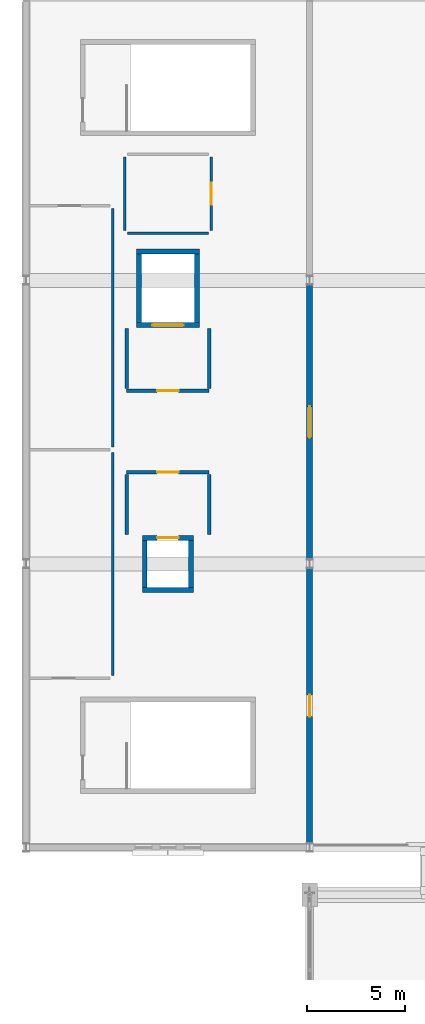
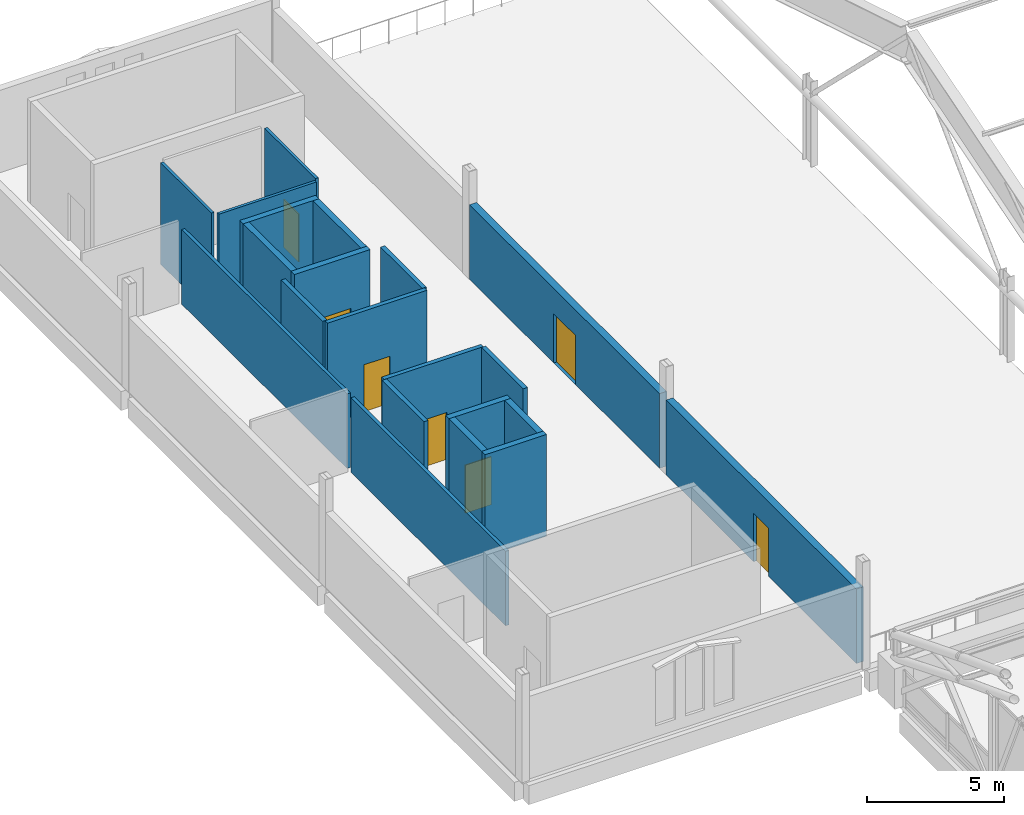
# One storey, part 95 of 116: 21 walls, 7 doors, 7 openings.
"""IFC4 building model written with IfcOpenShell, lengths in metres."""

import ifcopenshell
import ifcopenshell.guid

model = None  # the IFC model being written
_history = None  # IfcOwnerHistory: only IFC2X3 demands one
_inside = {}  # id of a spatial element -> (the spatial element, [elements in it])
_under = {}  # id of a project, library or spatial element -> (it, [spatial elements below it])
_declared = {}  # id of a project -> (the project, [libraries it declares])
_typed = {}  # id of a type object -> (the type object, [elements of that type])
_made_of = {}  # id of a material, layer set ... -> (it, [elements and type objects made of it])


def new_model(schema):
    """Start an empty IFC model of exactly this schema.

    Asked for "IFC4X3", IfcOpenShell would pick the latest addendum, in which some entities
    have other attributes; the version numbers below select the first issue.
    IFC2X3 requires an IfcOwnerHistory on every rooted entity: one is made here for all.
    """
    global model, _history
    if schema == "IFC4X3":
        model = ifcopenshell.file(schema_version=(4, 3, 0, 0))
    else:
        model = ifcopenshell.file(schema=schema)
    _inside.clear()
    _under.clear()
    _declared.clear()
    _typed.clear()
    _made_of.clear()
    _history = None
    if model.schema == "IFC2X3":
        org = make("IfcOrganization", Name="unknown")
        user = make(
            "IfcPersonAndOrganization",
            ThePerson=make("IfcPerson", FamilyName="unknown"),
            TheOrganization=org,
        )
        app = make(
            "IfcApplication",
            ApplicationDeveloper=org,
            Version="unknown",
            ApplicationFullName="unknown",
            ApplicationIdentifier="unknown",
        )
        _history = make(
            "IfcOwnerHistory",
            OwningUser=user,
            OwningApplication=app,
            ChangeAction="ADDED",
            CreationDate=0,
        )
    return model


def make(cls, **values):
    """One entity of the class cls with the attributes given. An attribute that is None is left unset."""
    return model.create_entity(
        cls, **{name: value for name, value in values.items() if value is not None}
    )


def rooted(cls, **values):
    """An entity with a GlobalId (a new one), such as an element, a storey or a relation."""
    return make(cls, GlobalId=ifcopenshell.guid.new(), OwnerHistory=_history, **values)


def si_unit(unit_type, name, prefix=None):
    """IfcSIUnit, for example si_unit("LENGTHUNIT", "METRE", prefix="MILLI")."""
    return make("IfcSIUnit", UnitType=unit_type, Prefix=prefix, Name=name)


def assignment(units):
    """IfcUnitAssignment: the units of a project."""
    return None if units is None else make("IfcUnitAssignment", Units=units)


def point(xyz):
    """IfcCartesianPoint."""
    return None if xyz is None else make("IfcCartesianPoint", Coordinates=xyz)


def direction(xyz):
    """IfcDirection."""
    return None if xyz is None else make("IfcDirection", DirectionRatios=xyz)


def frame(location, z_axis=None, x_axis=None):
    """IfcAxis2Placement3D, a coordinate frame: its origin and axes. An axis left out is left unset."""
    return make(
        "IfcAxis2Placement3D",
        Location=point(location),
        Axis=direction(z_axis),
        RefDirection=direction(x_axis),
    )


def frame_2d(location, x_axis=None):
    """IfcAxis2Placement2D, a coordinate frame in the plane: its origin and x axis."""
    return make(
        "IfcAxis2Placement2D", Location=point(location), RefDirection=direction(x_axis)
    )


def origin():
    """The frame at (0, 0, 0) with its axes left unset."""
    return frame((0.0, 0.0, 0.0))


def place(relative_to, where):
    """IfcLocalPlacement: puts the frame where relative to a parent placement (None: the world)."""
    return make(
        "IfcLocalPlacement", PlacementRelTo=relative_to, RelativePlacement=where
    )


def context(
    kind, dimensions, precision=None, world=None, true_north=None, identifier=None
):
    """IfcGeometricRepresentationContext, for example the 3D "Model" context."""
    return make(
        "IfcGeometricRepresentationContext",
        ContextIdentifier=identifier,
        ContextType=kind,
        CoordinateSpaceDimension=dimensions,
        Precision=precision,
        WorldCoordinateSystem=world,
        TrueNorth=true_north,
    )


def subcontext(parent, identifier, kind, view, scale=None):
    """IfcGeometricRepresentationSubContext, for example "Body" below "Model"."""
    return make(
        "IfcGeometricRepresentationSubContext",
        ContextIdentifier=identifier,
        ContextType=kind,
        ParentContext=parent,
        TargetScale=scale,
        TargetView=view,
    )


def project(units=None, contexts=None):
    """IfcProject with its units and contexts."""
    return rooted(
        "IfcProject",
        Name="project",
        RepresentationContexts=contexts,
        UnitsInContext=assignment(units),
    )


def spatial(cls, under=None, at=None, **own):
    """A site, building, storey or space (cls), placed at a placement, below another one or the project."""
    s = rooted(cls, ObjectPlacement=at, **own)
    if under is not None:
        _under.setdefault(under.id(), (under, []))[1].append(s)
    return s


def profile(cls, at=None, kind="AREA", **sizes):
    """A parametric profile (cls). Its sizes go by their IFC names, for example OverallWidth=200.0."""
    return make(cls, ProfileType=kind, Position=at, **sizes)


def rectangle(**sizes):
    """IfcRectangleProfileDef."""
    return profile("IfcRectangleProfileDef", **sizes)


def extrude(swept, where, along, depth):
    """IfcExtrudedAreaSolid: the profile swept, set in the frame where, extruded along a direction by depth."""
    return make(
        "IfcExtrudedAreaSolid",
        SweptArea=swept,
        Position=where,
        ExtrudedDirection=direction(along),
        Depth=depth,
    )


def shape(context_of_items, identifier, shape_type, items):
    """IfcShapeRepresentation: the items that make up one representation, for example the "Body"."""
    return make(
        "IfcShapeRepresentation",
        ContextOfItems=context_of_items,
        RepresentationIdentifier=identifier,
        RepresentationType=shape_type,
        Items=items,
    )


def material(Name=None, Category=None):
    """IfcMaterial."""
    return make("IfcMaterial", Name=Name, Category=Category)


def layer(
    of_material, thickness, ventilated=None, Name=None, Category=None, Priority=None
):
    """IfcMaterialLayer: one layer of a wall or slab, of a material (None: an air gap)."""
    return make(
        "IfcMaterialLayer",
        Material=of_material,
        LayerThickness=thickness,
        IsVentilated=ventilated,
        Name=Name,
        Category=Category,
        Priority=Priority,
    )


def layer_set(layers, Name=None):
    """IfcMaterialLayerSet."""
    return make("IfcMaterialLayerSet", MaterialLayers=layers, LayerSetName=Name)


def made_of(thing, what):
    """Note that an element or type object is made of a material, layer set ...; save() writes the relation."""
    if what is not None:
        _made_of.setdefault(what.id(), (what, []))[1].append(thing)
    return thing


def type_object(cls, material=None, **own):
    """A type object (cls), such as IfcWallType, which elements share."""
    return made_of(rooted(cls, **own), material)


def element(
    cls,
    number,
    at=None,
    inside=None,
    cuts=None,
    type_object=None,
    material=None,
    context=None,
    identifier="Body",
    shape_type=None,
    held_by="IfcProductDefinitionShape",
    body=None,
    shapes=None,
    **own,
):
    """One element of the class cls, such as IfcWall. Its Tag is "e" and its number.

    at: its placement. inside: the storey or other place that contains it. cuts: it is an
    opening in that element (IfcRelVoidsElement). A single representation is given by context,
    identifier, shape_type and body (its items); several are given by shapes. held_by: the class
    of the entity that holds the representations. save() writes the other relations.
    """
    e = rooted(cls, Tag="e%d" % number, ObjectPlacement=at, **own)
    if body is not None:
        shapes = [shape(context, identifier, shape_type, body)]
    if shapes is not None:
        e.Representation = make(held_by, Representations=shapes)
    if inside is not None:
        _inside.setdefault(inside.id(), (inside, []))[1].append(e)
    if cuts is not None:
        rooted(
            "IfcRelVoidsElement", RelatingBuildingElement=cuts, RelatedOpeningElement=e
        )
    if type_object is not None:
        _typed.setdefault(type_object.id(), (type_object, []))[1].append(e)
    return made_of(e, material)


def fill(opening, filler):
    """IfcRelFillsElement: the door or window that sits in an opening."""
    return rooted(
        "IfcRelFillsElement",
        RelatingOpeningElement=opening,
        RelatedBuildingElement=filler,
    )


def aggregate(whole, parts):
    """IfcRelAggregates: a whole, such as a stair, and the parts it consists of."""
    return rooted("IfcRelAggregates", RelatingObject=whole, RelatedObjects=parts)


def save(model, path):
    """Write the relations noted so far, then the file.

    IfcRelAggregates (storeys below a building ...), IfcRelContainedInSpatialStructure (elements
    in a storey), IfcRelDefinesByType, IfcRelAssociatesMaterial and IfcRelDeclares: one each for
    every whole, place, type object, material and project.
    """
    for whole, parts in _under.values():
        aggregate(whole, parts)
    for where, things in _inside.values():
        rooted(
            "IfcRelContainedInSpatialStructure",
            RelatedElements=things,
            RelatingStructure=where,
        )
    for kind, things in _typed.values():
        rooted("IfcRelDefinesByType", RelatedObjects=things, RelatingType=kind)
    for what, things in _made_of.values():
        rooted("IfcRelAssociatesMaterial", RelatedObjects=things, RelatingMaterial=what)
    for by, libraries in _declared.values():
        rooted("IfcRelDeclares", RelatingContext=by, RelatedDefinitions=libraries)
    model.write(path)


model = new_model("IFC4")

# Units and contexts
model_context = context("Model", 3, precision=1e-05, world=origin(), true_north=direction((0.0, 1.0)))
body_context = subcontext(model_context, "Body", "Model", "MODEL_VIEW")
ifc_project = project(units=[si_unit("LENGTHUNIT", "METRE"), si_unit("AREAUNIT", "SQUARE_METRE"), si_unit("VOLUMEUNIT", "CUBIC_METRE"), si_unit("PLANEANGLEUNIT", "RADIAN"), si_unit("MASSUNIT", "GRAM", prefix="KILO")], contexts=[model_context])

# Site, building, storey
site_placement = place(None, origin())
site = spatial("IfcSite", under=ifc_project, at=site_placement, CompositionType="ELEMENT")
building_placement = place(site_placement, origin())
building = spatial("IfcBuilding", under=site, at=building_placement, Name="Cendralis Lancet Convention Centre", CompositionType="ELEMENT")
storey_placement = place(building_placement, frame((0.0, 0.0, 15.0)))
storey = spatial("IfcBuildingStorey", under=building, at=storey_placement, Name="L03", CompositionType="ELEMENT", Elevation=15.0)

# Wall, opening, door
ifc_material_1 = material(Name="Buff sandstone ashlar and Concrete G40 (C40/50)", Category="masonry")
ifc_layer_1 = layer(ifc_material_1, 0.300048828125, Name="Buff sandstone ashlar and Concrete G40 (C40/50)")
ifc_layer_set_1 = layer_set([ifc_layer_1], Name="Buff sandstone ashlar and Concrete G40 (C40/50)")
wall_type_1 = type_object("IfcWallType", Name="ARC-EW-W300", PredefinedType="STANDARD", material=ifc_layer_set_1)
wall_1_placement = place(storey_placement, frame((139.199951171875, 107.76708984375, 0.0), z_axis=(0.0, 0.0, 1.0), x_axis=(0.0, -1.0, 0.0)))
wall_1 = element("IfcWall", 1, at=wall_1_placement, inside=storey, type_object=wall_type_1, Name="L03 V3 Exterior Wall EW-07 #0172", PredefinedType="STANDARD", context=body_context, shape_type="SweptSolid", body=[
    extrude(rectangle(XDim=13.93408203125, YDim=0.300048828125, at=frame_2d((6.967041015625, 0.0))), origin(), (0.0, 0.0, 1.0), 3.3349609375),
])
opening_1_placement = place(wall_1_placement, frame((6.4169921875, 0.0, 0.0)))
opening_1 = element("IfcOpeningElement", 2, at=opening_1_placement, cuts=wall_1, Name="Opening TR-D2", PredefinedType="OPENING", context=body_context, shape_type="SweptSolid", body=[
    extrude(rectangle(XDim=1.10009765625, YDim=2.14990234375, at=frame_2d((0.550048828125, 1.074951171875))), frame((0.0, 0.159912109375, 0.0), z_axis=(0.0, -1.0, 0.0), x_axis=(1.0, 0.0, 0.0)), (0.0, 0.0, 1.0), 0.320068359375),
])
ifc_material_2 = material(Name="Anodised bronze architectural aluminium", Category="aluminium")
door_type_1 = type_object("IfcDoorType", Name="ARC-DR-TR11", OperationType="NOTDEFINED", PredefinedType="DOOR", material=ifc_material_2)
door_1_placement = place(opening_1_placement, origin())
door_1 = element("IfcDoor", 3, at=door_1_placement, inside=storey, type_object=door_type_1, Name="L03-D001 Terrace Access Door #043", OperationType="SINGLE_SWING_RIGHT", OverallHeight=2.14990234375, OverallWidth=1.10009765625, PredefinedType="DOOR", context=body_context, shape_type="SweptSolid", body=[
    extrude(rectangle(XDim=1.10009765625, YDim=2.14990234375, at=frame_2d((0.550048828125, 1.074951171875))), frame((0.0, 0.02490234375, 0.0), z_axis=(0.0, -1.0, 0.0), x_axis=(1.0, 0.0, 0.0)), (0.0, 0.0, 1.0), 0.050048828125),
])
fill(opening_1, door_1)

wall_2_placement = place(storey_placement, frame((139.199951171875, 122.1669921875, 0.0), z_axis=(0.0, 0.0, 1.0), x_axis=(0.0, -1.0, 0.0)))
wall_2 = element("IfcWall", 4, at=wall_2_placement, inside=storey, type_object=wall_type_1, Name="L03 V3 Exterior Wall EW-07 #0174", PredefinedType="STANDARD", context=body_context, shape_type="SweptSolid", body=[
    extrude(rectangle(XDim=13.93408203125, YDim=0.300048828125, at=frame_2d((6.967041015625, 0.0))), origin(), (0.0, 0.0, 1.0), 3.3349609375),
])
opening_2_placement = place(wall_2_placement, frame((6.1669921875, 0.0, 0.0)))
opening_2 = element("IfcOpeningElement", 5, at=opening_2_placement, cuts=wall_2, Name="Opening TR-D1", PredefinedType="OPENING", context=body_context, shape_type="SweptSolid", body=[
    extrude(rectangle(XDim=1.60009765625, YDim=2.199951171875, at=frame_2d((0.800048828125, 1.10009765625))), frame((0.0, 0.159912109375, 0.0), z_axis=(0.0, -1.0, 0.0), x_axis=(1.0, 0.0, 0.0)), (0.0, 0.0, 1.0), 0.320068359375),
])
door_type_2 = type_object("IfcDoorType", Name="ARC-DR-TR16", OperationType="NOTDEFINED", PredefinedType="DOOR", material=ifc_material_2)
door_2_placement = place(opening_2_placement, origin())
door_2 = element("IfcDoor", 6, at=door_2_placement, inside=storey, type_object=door_type_2, Name="L03-D002 Terrace Access Door #044", OperationType="DOUBLE_DOOR_SINGLE_SWING", OverallHeight=2.199951171875, OverallWidth=1.60009765625, PredefinedType="DOOR", context=body_context, shape_type="SweptSolid", body=[
    extrude(rectangle(XDim=1.60009765625, YDim=2.199951171875, at=frame_2d((0.800048828125, 1.10009765625))), frame((0.0, 0.02490234375, 0.0), z_axis=(0.0, -1.0, 0.0), x_axis=(1.0, 0.0, 0.0)), (0.0, 0.0, 1.0), 0.050048828125),
])
fill(opening_2, door_2)

# Walls
ifc_material_3 = material(Name="Acoustic fire-rated gypsum board on steel studs", Category="steel")
ifc_layer_2 = layer(ifc_material_3, 0.1201171875, Name="Acoustic fire-rated gypsum board on steel studs")
ifc_layer_set_2 = layer_set([ifc_layer_2], Name="Acoustic fire-rated gypsum board on steel studs")
wall_type_2 = type_object("IfcWallType", Name="ARC-IW-P120", PredefinedType="PARTITIONING", material=ifc_layer_set_2)
wall_3_placement = place(storey_placement, frame((129.93994140625, 124.800048828125, 0.0), z_axis=(0.0, 0.0, 1.0), x_axis=(1.0, 0.0, 0.0)))
element("IfcWall", 7, at=wall_3_placement, inside=storey, type_object=wall_type_2, Name="L03 Interior Partition IW-05 #0198", PredefinedType="PARTITIONING", context=body_context, shape_type="SweptSolid", body=[
    extrude(rectangle(XDim=4.1201171875, YDim=0.1201171875, at=frame_2d((2.06005859375, 0.0))), origin(), (0.0, 0.0, 1.0), 4.534912109375),
])
wall_4_placement = place(storey_placement, frame((129.800048828125, 124.93994140625, 0.0), z_axis=(0.0, 0.0, 1.0), x_axis=(0.0, 1.0, 0.0)))
element("IfcWall", 8, at=wall_4_placement, inside=storey, type_object=wall_type_2, Name="L03 Interior Partition IW-05 #0200", PredefinedType="PARTITIONING", context=body_context, shape_type="SweptSolid", body=[
    extrude(rectangle(XDim=3.719970703125, YDim=0.1201171875, at=frame_2d((1.85986328125, 0.0))), origin(), (0.0, 0.0, 1.0), 4.534912109375),
])

# Wall, opening, door
wall_5_placement = place(storey_placement, frame((134.199951171875, 124.93994140625, 0.0), z_axis=(0.0, 0.0, 1.0), x_axis=(0.0, 1.0, 0.0)))
wall_5 = element("IfcWall", 9, at=wall_5_placement, inside=storey, type_object=wall_type_2, Name="L03 Interior Partition IW-05 #0201", PredefinedType="PARTITIONING", context=body_context, shape_type="SweptSolid", body=[
    extrude(rectangle(XDim=3.719970703125, YDim=0.1201171875, at=frame_2d((1.85986328125, 0.0))), origin(), (0.0, 0.0, 1.0), 4.534912109375),
])
opening_3_placement = place(wall_5_placement, frame((1.31005859375, 0.0, 0.0)))
opening_3 = element("IfcOpeningElement", 10, at=opening_3_placement, cuts=wall_5, Name="Opening FD-11", PredefinedType="OPENING", context=body_context, shape_type="SweptSolid", body=[
    extrude(rectangle(XDim=1.10009765625, YDim=2.14990234375, at=frame_2d((0.550048828125, 1.074951171875))), frame((0.0, 0.070068359375, 0.0), z_axis=(0.0, -1.0, 0.0), x_axis=(1.0, 0.0, 0.0)), (0.0, 0.0, 1.0), 0.14013671875),
])
ifc_material_4 = material(Name="Steel S355", Category="steel")
door_type_3 = type_object("IfcDoorType", Name="ARC-DR-FF11", OperationType="NOTDEFINED", PredefinedType="DOOR", material=ifc_material_4)
door_3_placement = place(opening_3_placement, origin())
door_3 = element("IfcDoor", 11, at=door_3_placement, inside=storey, type_object=door_type_3, Name="L03-D012 L03 Interior Door FD-11 #0066", OperationType="SINGLE_SWING_LEFT", OverallHeight=2.14990234375, OverallWidth=1.10009765625, PredefinedType="DOOR", context=body_context, shape_type="SweptSolid", body=[
    extrude(rectangle(XDim=1.10009765625, YDim=2.14990234375, at=frame_2d((0.550048828125, 1.074951171875))), frame((0.0, 0.02490234375, 0.0), z_axis=(0.0, -1.0, 0.0), x_axis=(1.0, 0.0, 0.0)), (0.0, 0.0, 1.0), 0.050048828125),
])
fill(opening_3, door_3)

# Walls
ifc_layer_3 = layer(ifc_material_3, 0.139892578125, Name="Acoustic fire-rated gypsum board on steel studs")
ifc_layer_set_3 = layer_set([ifc_layer_3], Name="Acoustic fire-rated gypsum board on steel studs")
wall_type_3 = type_object("IfcWallType", Name="ARC-IW-P140", PredefinedType="PARTITIONING", material=ifc_layer_set_3)
wall_6_placement = place(storey_placement, frame((129.199951171875, 102.340087890625, 0.0), z_axis=(0.0, 0.0, 1.0), x_axis=(0.0, 1.0, 0.0)))
element("IfcWall", 12, at=wall_6_placement, inside=storey, type_object=wall_type_3, Name="L03 Interior Partition IW-04 #0195", PredefinedType="PARTITIONING", context=body_context, shape_type="SweptSolid", body=[
    extrude(rectangle(XDim=11.31982421875, YDim=0.139892578125, at=frame_2d((5.659912109375, 0.0))), origin(), (0.0, 0.0, 1.0), 3.3349609375),
])
wall_7_placement = place(storey_placement, frame((129.199951171875, 113.93994140625, 0.0), z_axis=(0.0, 0.0, 1.0), x_axis=(0.0, 1.0, 0.0)))
element("IfcWall", 13, at=wall_7_placement, inside=storey, type_object=wall_type_3, Name="L03 Interior Partition IW-04 #0197", PredefinedType="PARTITIONING", context=body_context, shape_type="SweptSolid", body=[
    extrude(rectangle(XDim=12.1201171875, YDim=0.139892578125, at=frame_2d((6.06005859375, 0.0))), origin(), (0.0, 0.0, 1.0), 3.3349609375),
])

# Wall, opening, door
ifc_layer_4 = layer(ifc_material_3, 0.179931640625, Name="Acoustic fire-rated gypsum board on steel studs")
ifc_layer_set_4 = layer_set([ifc_layer_4], Name="Acoustic fire-rated gypsum board on steel studs")
wall_type_4 = type_object("IfcWallType", Name="ARC-IW-P180", PredefinedType="PARTITIONING", material=ifc_layer_set_4)
wall_8_placement = place(storey_placement, frame((129.89990234375, 112.64990234375, 0.0), z_axis=(0.0, 0.0, 1.0), x_axis=(1.0, 0.0, 0.0)))
wall_8 = element("IfcWall", 14, at=wall_8_placement, inside=storey, type_object=wall_type_4, Name="L03 Lift Lobby LP-07 Front Wall", PredefinedType="PARTITIONING", context=body_context, shape_type="SweptSolid", body=[
    extrude(rectangle(XDim=4.2001953125, YDim=0.179931640625, at=frame_2d((2.10009765625, 0.0))), origin(), (0.0, 0.0, 1.0), 4.550048828125),
])
opening_4_placement = place(wall_8_placement, frame((1.550048828125, 0.0, 0.0)))
opening_4 = element("IfcOpeningElement", 15, at=opening_4_placement, cuts=wall_8, Name="Opening FD-11", PredefinedType="OPENING", context=body_context, shape_type="SweptSolid", body=[
    extrude(rectangle(XDim=1.10009765625, YDim=2.14990234375, at=frame_2d((0.550048828125, 1.074951171875))), frame((0.0, 0.099853515625, 0.0), z_axis=(0.0, -1.0, 0.0), x_axis=(1.0, 0.0, 0.0)), (0.0, 0.0, 1.0), 0.199951171875),
])
door_4_placement = place(opening_4_placement, origin())
door_4 = element("IfcDoor", 16, at=door_4_placement, inside=storey, type_object=door_type_3, Name="L03-D049 L03 Lift Lobby LP-07 Fire Door", OperationType="SINGLE_SWING_LEFT", OverallHeight=2.14990234375, OverallWidth=1.10009765625, PredefinedType="DOOR", context=body_context, shape_type="SweptSolid", body=[
    extrude(rectangle(XDim=1.10009765625, YDim=2.14990234375, at=frame_2d((0.550048828125, 1.074951171875))), frame((0.0, 0.02490234375, 0.0), z_axis=(0.0, -1.0, 0.0), x_axis=(1.0, 0.0, 0.0)), (0.0, 0.0, 1.0), 0.050048828125),
])
fill(opening_4, door_4)

# Walls
for number, where, z_axis, x_axis, name in (
    (17, (129.89990234375, 109.5, 0.0), (0.0, 0.0, 1.0), (0.0, 1.0, 0.0), "L03 Lift Lobby LP-07 West Wall"),
    (18, (134.10009765625, 109.5, 0.0), (0.0, 0.0, 1.0), (0.0, 1.0, 0.0), "L03 Lift Lobby LP-07 East Wall"),
):
    element("IfcWall", number, at=place(storey_placement, frame(where, z_axis=z_axis, x_axis=x_axis)), inside=storey, type_object=wall_type_4, Name=name, PredefinedType="PARTITIONING", context=body_context, shape_type="SweptSolid", body=[
        extrude(rectangle(XDim=3.050048828125, YDim=0.179931640625, at=frame_2d((1.52490234375, 0.0))), origin(), (0.0, 0.0, 1.0), 4.550048828125),
    ])

# Wall, opening, door
wall_9_placement = place(storey_placement, frame((134.10009765625, 116.800048828125, 0.0), z_axis=(0.0, 0.0, 1.0), x_axis=(-1.0, 0.0, 0.0)))
wall_9 = element("IfcWall", 19, at=wall_9_placement, inside=storey, type_object=wall_type_4, Name="L03 Lift Lobby LG-02 Front Wall", PredefinedType="PARTITIONING", context=body_context, shape_type="SweptSolid", body=[
    extrude(rectangle(XDim=4.2001953125, YDim=0.179931640625, at=frame_2d((2.10009765625, 0.0))), origin(), (0.0, 0.0, 1.0), 4.550048828125),
])
opening_5_placement = place(wall_9_placement, frame((1.550048828125, 0.0, 0.0)))
opening_5 = element("IfcOpeningElement", 20, at=opening_5_placement, cuts=wall_9, Name="Opening FD-11", PredefinedType="OPENING", context=body_context, shape_type="SweptSolid", body=[
    extrude(rectangle(XDim=1.10009765625, YDim=2.14990234375, at=frame_2d((0.550048828125, 1.074951171875))), frame((0.0, 0.099853515625, 0.0), z_axis=(0.0, -1.0, 0.0), x_axis=(1.0, 0.0, 0.0)), (0.0, 0.0, 1.0), 0.199951171875),
])
door_5_placement = place(opening_5_placement, origin())
door_5 = element("IfcDoor", 21, at=door_5_placement, inside=storey, type_object=door_type_3, Name="L03-D041 L03 Lift Lobby LG-02 Fire Door", OperationType="SINGLE_SWING_LEFT", OverallHeight=2.14990234375, OverallWidth=1.10009765625, PredefinedType="DOOR", context=body_context, shape_type="SweptSolid", body=[
    extrude(rectangle(XDim=1.10009765625, YDim=2.14990234375, at=frame_2d((0.550048828125, 1.074951171875))), frame((0.0, 0.02490234375, 0.0), z_axis=(0.0, -1.0, 0.0), x_axis=(1.0, 0.0, 0.0)), (0.0, 0.0, 1.0), 0.050048828125),
])
fill(opening_5, door_5)

# Walls
for number, where, z_axis, x_axis, name in (
    (22, (129.89990234375, 116.89990234375, 0.0), (0.0, 0.0, 1.0), (0.0, 1.0, 0.0), "L03 Lift Lobby LG-02 West Wall"),
    (23, (134.10009765625, 116.89990234375, 0.0), (0.0, 0.0, 1.0), (0.0, 1.0, 0.0), "L03 Lift Lobby LG-02 East Wall"),
):
    element("IfcWall", number, at=place(storey_placement, frame(where, z_axis=z_axis, x_axis=x_axis)), inside=storey, type_object=wall_type_4, Name=name, PredefinedType="PARTITIONING", context=body_context, shape_type="SweptSolid", body=[
        extrude(rectangle(XDim=3.050048828125, YDim=0.179931640625, at=frame_2d((1.52490234375, 0.0))), origin(), (0.0, 0.0, 1.0), 4.550048828125),
    ])
ifc_material_5 = material(Name="Concrete G40 (C40/50)", Category="concrete")
ifc_layer_5 = layer(ifc_material_5, 0.25, Name="Concrete G40 (C40/50)")
ifc_layer_set_5 = layer_set([ifc_layer_5], Name="Concrete G40 (C40/50)")
wall_type_5 = type_object("IfcWallType", Name="STR-SW-CW250", PredefinedType="SHEAR", material=ifc_layer_set_5)
wall_10_placement = place(storey_placement, frame((130.699951171875, 106.675048828125, 0.0), z_axis=(0.0, 0.0, 1.0), x_axis=(1.0, 0.0, 0.0)))
element("IfcWall", 24, at=wall_10_placement, inside=storey, type_object=wall_type_5, Name="L03 Lift LP-07 South Shaft Wall", PredefinedType="SHEAR", context=body_context, shape_type="SweptSolid", body=[
    extrude(rectangle(XDim=2.60009765625, YDim=0.25, at=frame_2d((1.300048828125, 0.0))), origin(), (0.0, 0.0, 1.0), 4.550048828125),
])

# Wall, opening, door
wall_11_placement = place(storey_placement, frame((130.699951171875, 109.324951171875, 0.0), z_axis=(0.0, 0.0, 1.0), x_axis=(1.0, 0.0, 0.0)))
wall_11 = element("IfcWall", 25, at=wall_11_placement, inside=storey, type_object=wall_type_5, Name="L03 Lift LP-07 North Shaft Wall", PredefinedType="SHEAR", context=body_context, shape_type="SweptSolid", body=[
    extrude(rectangle(XDim=2.60009765625, YDim=0.25, at=frame_2d((1.300048828125, 0.0))), origin(), (0.0, 0.0, 1.0), 4.550048828125),
])
opening_6_placement = place(wall_11_placement, frame((0.75, 0.0, 0.0)))
opening_6 = element("IfcOpeningElement", 26, at=opening_6_placement, cuts=wall_11, Name="Opening LD-11", PredefinedType="OPENING", context=body_context, shape_type="SweptSolid", body=[
    extrude(rectangle(XDim=1.10009765625, YDim=2.14990234375, at=frame_2d((0.550048828125, 1.074951171875))), frame((0.0, 0.135009765625, 0.0), z_axis=(0.0, -1.0, 0.0), x_axis=(1.0, 0.0, 0.0)), (0.0, 0.0, 1.0), 0.27001953125),
])
door_type_4 = type_object("IfcDoorType", Name="ARC-DR-LD11", OperationType="NOTDEFINED", PredefinedType="DOOR", material=ifc_material_2)
door_6_placement = place(opening_6_placement, origin())
door_6 = element("IfcDoor", 27, at=door_6_placement, inside=storey, type_object=door_type_4, Name="L03-D038 L03 Lift LP-07 Sliding Landing Door", OperationType="SLIDING_TO_LEFT", OverallHeight=2.14990234375, OverallWidth=1.10009765625, PredefinedType="DOOR", context=body_context, shape_type="SweptSolid", body=[
    extrude(rectangle(XDim=1.10009765625, YDim=2.14990234375, at=frame_2d((0.550048828125, 1.074951171875))), frame((0.0, 0.02490234375, 0.0), z_axis=(0.0, -1.0, 0.0), x_axis=(1.0, 0.0, 0.0)), (0.0, 0.0, 1.0), 0.050048828125),
])
fill(opening_6, door_6)

# Walls
for number, where, z_axis, x_axis, name in (
    (28, (130.824951171875, 106.800048828125, 0.0), (0.0, 0.0, 1.0), (0.0, 1.0, 0.0), "L03 Lift LP-07 West Shaft Wall"),
    (29, (133.175048828125, 106.800048828125, 0.0), (0.0, 0.0, 1.0), (0.0, 1.0, 0.0), "L03 Lift LP-07 East Shaft Wall"),
):
    element("IfcWall", number, at=place(storey_placement, frame(where, z_axis=z_axis, x_axis=x_axis)), inside=storey, type_object=wall_type_5, Name=name, PredefinedType="SHEAR", context=body_context, shape_type="SweptSolid", body=[
        extrude(rectangle(XDim=2.39990234375, YDim=0.25, at=frame_2d((1.199951171875, 0.0))), origin(), (0.0, 0.0, 1.0), 4.550048828125),
    ])

# Wall, opening, door
wall_12_placement = place(storey_placement, frame((130.39990234375, 120.125, 0.0), z_axis=(0.0, 0.0, 1.0), x_axis=(1.0, 0.0, 0.0)))
wall_12 = element("IfcWall", 30, at=wall_12_placement, inside=storey, type_object=wall_type_5, Name="L03 Lift LG-02 South Shaft Wall", PredefinedType="SHEAR", context=body_context, shape_type="SweptSolid", body=[
    extrude(rectangle(XDim=3.2001953125, YDim=0.25, at=frame_2d((1.60009765625, 0.0))), origin(), (0.0, 0.0, 1.0), 4.550048828125),
])
opening_7_placement = place(wall_12_placement, frame((0.800048828125, 0.0, 0.0)))
opening_7 = element("IfcOpeningElement", 31, at=opening_7_placement, cuts=wall_12, Name="Opening LD-16", PredefinedType="OPENING", context=body_context, shape_type="SweptSolid", body=[
    extrude(rectangle(XDim=1.60009765625, YDim=2.199951171875, at=frame_2d((0.800048828125, 1.10009765625))), frame((0.0, 0.135009765625, 0.0), z_axis=(0.0, -1.0, 0.0), x_axis=(1.0, 0.0, 0.0)), (0.0, 0.0, 1.0), 0.27001953125),
])
door_type_5 = type_object("IfcDoorType", Name="ARC-DR-LD16", OperationType="NOTDEFINED", PredefinedType="DOOR", material=ifc_material_4)
door_7_placement = place(opening_7_placement, origin())
door_7 = element("IfcDoor", 32, at=door_7_placement, inside=storey, type_object=door_type_5, Name="L03-D030 L03 Lift LG-02 Sliding Landing Door", OperationType="SLIDING_TO_RIGHT", OverallHeight=2.199951171875, OverallWidth=1.60009765625, PredefinedType="DOOR", context=body_context, shape_type="SweptSolid", body=[
    extrude(rectangle(XDim=1.60009765625, YDim=2.199951171875, at=frame_2d((0.800048828125, 1.10009765625))), frame((0.0, 0.02490234375, 0.0), z_axis=(0.0, -1.0, 0.0), x_axis=(1.0, 0.0, 0.0)), (0.0, 0.0, 1.0), 0.050048828125),
])
fill(opening_7, door_7)

# Walls
wall_13_placement = place(storey_placement, frame((130.39990234375, 123.875, 0.0), z_axis=(0.0, 0.0, 1.0), x_axis=(1.0, 0.0, 0.0)))
element("IfcWall", 33, at=wall_13_placement, inside=storey, type_object=wall_type_5, Name="L03 Lift LG-02 North Shaft Wall", PredefinedType="SHEAR", context=body_context, shape_type="SweptSolid", body=[
    extrude(rectangle(XDim=3.2001953125, YDim=0.25, at=frame_2d((1.60009765625, 0.0))), origin(), (0.0, 0.0, 1.0), 4.550048828125),
])
for number, where, z_axis, x_axis, name in (
    (34, (130.52490234375, 120.25, 0.0), (0.0, 0.0, 1.0), (0.0, 1.0, 0.0), "L03 Lift LG-02 West Shaft Wall"),
    (35, (133.47509765625, 120.25, 0.0), (0.0, 0.0, 1.0), (0.0, 1.0, 0.0), "L03 Lift LG-02 East Shaft Wall"),
):
    element("IfcWall", number, at=place(storey_placement, frame(where, z_axis=z_axis, x_axis=x_axis)), inside=storey, type_object=wall_type_5, Name=name, PredefinedType="SHEAR", context=body_context, shape_type="SweptSolid", body=[
        extrude(rectangle(XDim=3.5, YDim=0.25, at=frame_2d((1.75, 0.0))), origin(), (0.0, 0.0, 1.0), 4.550048828125),
    ])

save(model, "model.ifc")
